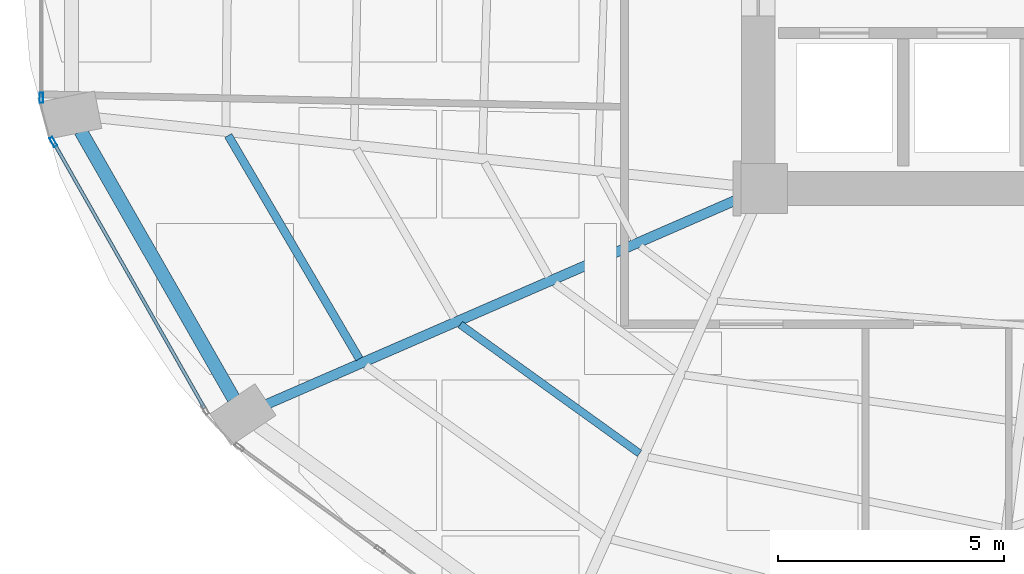
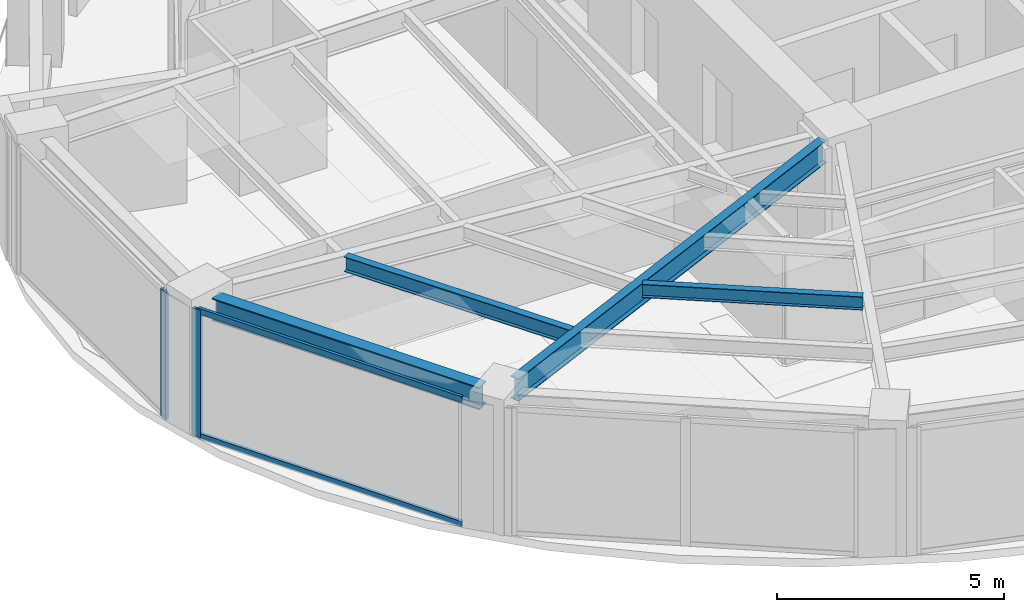
# One storey, part 3 of 24: 4 beams, 4 members, 2 elements without a shape of their own.
"""IFC4 building model written with IfcOpenShell, lengths in metres."""

from ifc_helpers import new_model, si_unit, direction, frame, origin, origin_2d, place, context, subcontext, project, spatial, hollow_rectangle, i_section, extrude, material, layer, layer_set, material_profile, profile_set, type_object, element, aggregate, save


model = new_model("IFC4")

# Units and contexts
model_context = context("Model", 3, precision=1e-05, world=origin(), true_north=direction((0.0, 1.0)))
body_context = subcontext(model_context, "Body", "Model", "MODEL_VIEW")
ifc_project = project(units=[si_unit("LENGTHUNIT", "METRE"), si_unit("AREAUNIT", "SQUARE_METRE"), si_unit("VOLUMEUNIT", "CUBIC_METRE"), si_unit("PLANEANGLEUNIT", "RADIAN"), si_unit("MASSUNIT", "GRAM", prefix="KILO")], contexts=[model_context])

# Site, building, storey
site_placement = place(None, origin())
site = spatial("IfcSite", under=ifc_project, at=site_placement, CompositionType="ELEMENT")
building_placement = place(site_placement, origin())
building = spatial("IfcBuilding", under=site, at=building_placement, Name="Lazwardi Medical Tower", CompositionType="ELEMENT")
storey_placement = place(building_placement, frame((0.0, 0.0, 110.927978515625)))
storey = spatial("IfcBuildingStorey", under=building, at=storey_placement, Name="L28", CompositionType="ELEMENT", Elevation=110.927978515625)

# Beams
ifc_material_1 = material(Name="Steel S355", Category="steel")
ifc_material_profile_1 = material_profile(ifc_material_1, i_section(OverallWidth=0.300048828125, OverallDepth=0.60009765625, WebThickness=0.015380859375, FlangeThickness=0.030029296875, at=origin_2d()), Name="HEB 600")
ifc_profile_set_1 = profile_set([ifc_material_profile_1], Name="Steel S355")
beam_type_1 = type_object("IfcBeamType", Name="BM-RB-Z2", PredefinedType="BEAM", material=ifc_profile_set_1)
beam_1_placement = place(storey_placement, frame((11.3408203125, 21.664306640625, 3.1279296875), z_axis=(0.496637551254, -0.867958030486, 0.0), x_axis=(0.867958030486, 0.496637551254, 0.0)))
element("IfcBeam", 1, at=beam_1_placement, inside=storey, type_object=beam_type_1, Name="Ring beam RB-03 B13 L28", PredefinedType="BEAM", context=body_context, shape_type="SweptSolid", body=[
    extrude(i_section(OverallWidth=0.300048828125, OverallDepth=0.60009765625, WebThickness=0.015380859375, FlangeThickness=0.030029296875, at=origin_2d()), origin(), (0.0, 0.0, 1.0), 6.801025390625),
])
ifc_material_profile_2 = material_profile(ifc_material_1, i_section(OverallWidth=0.219970703125, OverallDepth=0.60009765625, WebThickness=0.011962890625, FlangeThickness=0.01904296875, at=origin_2d()), Name="IPE 600")
ifc_profile_set_2 = profile_set([ifc_material_profile_2], Name="Steel S355")
beam_type_2 = type_object("IfcBeamType", Name="BM-RG-W1", PredefinedType="BEAM", material=ifc_profile_set_2)
beam_2_placement = place(storey_placement, frame((15.4541015625, 15.63671875, 3.1279296875), z_axis=(0.916941336121, 0.399022037127, 0.0), x_axis=(-0.399022037127, 0.916941336121, 0.0)))
element("IfcBeam", 2, at=beam_2_placement, inside=storey, type_object=beam_type_2, Name="Radial girder RG-02 R14 L28", PredefinedType="BEAM", context=body_context, shape_type="SweptSolid", body=[
    extrude(i_section(OverallWidth=0.219970703125, OverallDepth=0.60009765625, WebThickness=0.011962890625, FlangeThickness=0.01904296875, at=origin_2d()), origin(), (0.0, 0.0, 1.0), 11.40234375),
])
ifc_material_profile_3 = material_profile(ifc_material_1, i_section(OverallWidth=0.179931640625, OverallDepth=0.39990234375, WebThickness=0.008544921875, FlangeThickness=0.013427734375, at=origin_2d()), Name="IPE 400")
ifc_profile_set_3 = profile_set([ifc_material_profile_3], Name="Steel S355")
beam_type_3 = type_object("IfcBeamType", Name="BM-SJ-01", PredefinedType="JOIST", material=ifc_profile_set_3)
beam_3_placement = place(storey_placement, frame((14.597900390625, 21.56787109375, 3.22802734375), z_axis=(0.506195045201, -0.862419025888, 0.0), x_axis=(0.862419025888, 0.506195045201, 0.0)))
element("IfcBeam", 3, at=beam_3_placement, inside=storey, type_object=beam_type_3, Name="Secondary joist SJ-01 R1 B13 L28", PredefinedType="JOIST", context=body_context, shape_type="SweptSolid", body=[
    extrude(i_section(OverallWidth=0.179931640625, OverallDepth=0.39990234375, WebThickness=0.008544921875, FlangeThickness=0.013427734375, at=origin_2d()), origin(), (0.0, 0.0, 1.0), 5.71728515625),
])
ifc_material_profile_4 = material_profile(ifc_material_1, i_section(OverallWidth=0.169921875, OverallDepth=0.360107421875, WebThickness=0.008056640625, FlangeThickness=0.0126953125, at=origin_2d()), Name="IPE 360")
ifc_profile_set_4 = profile_set([ifc_material_profile_4], Name="Steel S355")
beam_type_4 = type_object("IfcBeamType", Name="BM-SJ-02", PredefinedType="JOIST", material=ifc_profile_set_4)
beam_4_placement = place(storey_placement, frame((19.721435546875, 17.395263671875, 3.248046875), z_axis=(0.811888517177, -0.583812500446, 0.0), x_axis=(0.583812500446, 0.811888517177, 0.0)))
element("IfcBeam", 4, at=beam_4_placement, inside=storey, type_object=beam_type_4, Name="Secondary joist SJ-02 R2 B14 L28", PredefinedType="JOIST", context=body_context, shape_type="SweptSolid", body=[
    extrude(i_section(OverallWidth=0.169921875, OverallDepth=0.360107421875, WebThickness=0.008056640625, FlangeThickness=0.0126953125, at=origin_2d()), origin(), (0.0, 0.0, 1.0), 4.874755859375),
])

# Curtain wall, member
ifc_material_2 = material(Name="Anodised bronze aluminium and solar control glazing", Category="aluminium")
ifc_layer = layer(ifc_material_2, 0.195068359375)
ifc_layer_set = layer_set([ifc_layer], Name="Anodised bronze aluminium and solar control glazing")
curtain_wall_type = type_object("IfcCurtainWallType", Name="CW-SYS-03", PredefinedType="NOTDEFINED", material=ifc_layer_set)
curtain_wall_1_placement = place(storey_placement, origin())
curtain_wall_1 = element("IfcCurtainWall", 5, at=curtain_wall_1_placement, inside=storey, type_object=curtain_wall_type, Name="L28 Unitised bronze curtain wall CW-03", PredefinedType="NOTDEFINED")
ifc_material_3 = material(Name="Anodised bronze aluminium", Category="aluminium")
ifc_material_profile_5 = material_profile(ifc_material_3, hollow_rectangle(XDim=0.074951171875, YDim=0.219970703125, WallThickness=0.00390625, at=origin_2d()), Name="ALU-MULLION 220x75x4")
ifc_profile_set_5 = profile_set([ifc_material_profile_5], Name="Anodised bronze aluminium")
member_type_1 = type_object("IfcMemberType", Name="CW-MUL-01", PredefinedType="MULLION", material=ifc_profile_set_5)
member_1_placement = place(storey_placement, frame((10.471923828125, 22.402587890625, 0.0), z_axis=(0.0, 0.0, 1.0), x_axis=(1.0, 0.0, 0.0)))
member_1 = element("IfcMember", 6, at=member_1_placement, type_object=member_type_1, Name="CW-03 mullion 2", PredefinedType="MULLION", context=body_context, shape_type="SweptSolid", body=[
    extrude(hollow_rectangle(XDim=0.074951171875, YDim=0.219970703125, WallThickness=0.00390625, at=origin_2d()), origin(), (0.0, 0.0, 1.0), 3.427978515625),
])
aggregate(curtain_wall_1, [member_1])

# Curtain wall, members
curtain_wall_2_placement = place(storey_placement, origin())
curtain_wall_2 = element("IfcCurtainWall", 7, at=curtain_wall_2_placement, inside=storey, type_object=curtain_wall_type, Name="L28 Unitised bronze curtain wall CW-03", PredefinedType="NOTDEFINED")
member_2_placement = place(storey_placement, frame((10.7373046875, 21.42626953125, 0.0), z_axis=(0.0, 0.0, 1.0), x_axis=(0.869687265712, 0.493603140041, 0.0)))
member_2 = element("IfcMember", 8, at=member_2_placement, type_object=member_type_1, Name="CW-03 mullion 1", PredefinedType="MULLION", context=body_context, shape_type="SweptSolid", body=[
    extrude(hollow_rectangle(XDim=0.074951171875, YDim=0.219970703125, WallThickness=0.00390625, at=origin_2d()), origin(), (0.0, 0.0, 1.0), 3.427978515625),
])
ifc_material_profile_6 = material_profile(ifc_material_3, hollow_rectangle(XDim=0.074951171875, YDim=0.159912109375, WallThickness=0.00390625, at=origin_2d()), Name="ALU-TRANSOM 160x75x4")
ifc_profile_set_6 = profile_set([ifc_material_profile_6], Name="Anodised bronze aluminium")
member_type_2 = type_object("IfcMemberType", Name="CW-TRN-01", PredefinedType="USERDEFINED", material=ifc_profile_set_6)
member_3_placement = place(storey_placement, frame((10.755859375, 21.3935546875, 0.03759765625), z_axis=(0.493614427365, -0.869680859337, 0.0), x_axis=(0.869680859337, 0.493614427365, 0.0)))
member_3 = element("IfcMember", 9, at=member_3_placement, type_object=member_type_2, Name="CW-03 transom 1.1", ObjectType="TRANSOM", PredefinedType="USERDEFINED", context=body_context, shape_type="SweptSolid", body=[
    extrude(hollow_rectangle(XDim=0.074951171875, YDim=0.159912109375, WallThickness=0.00390625, at=origin_2d()), origin(), (0.0, 0.0, 1.0), 6.72314453125),
])
member_4_placement = place(storey_placement, frame((10.755859375, 21.3935546875, 3.390625), z_axis=(0.493614427365, -0.869680859337, 0.0), x_axis=(0.869680859337, 0.493614427365, 0.0)))
member_4 = element("IfcMember", 10, at=member_4_placement, type_object=member_type_2, Name="CW-03 transom 1.2", ObjectType="TRANSOM", PredefinedType="USERDEFINED", context=body_context, shape_type="SweptSolid", body=[
    extrude(hollow_rectangle(XDim=0.074951171875, YDim=0.159912109375, WallThickness=0.00390625, at=origin_2d()), origin(), (0.0, 0.0, 1.0), 6.72314453125),
])
aggregate(curtain_wall_2, [member_2, member_3, member_4])

save(model, "model.ifc")
